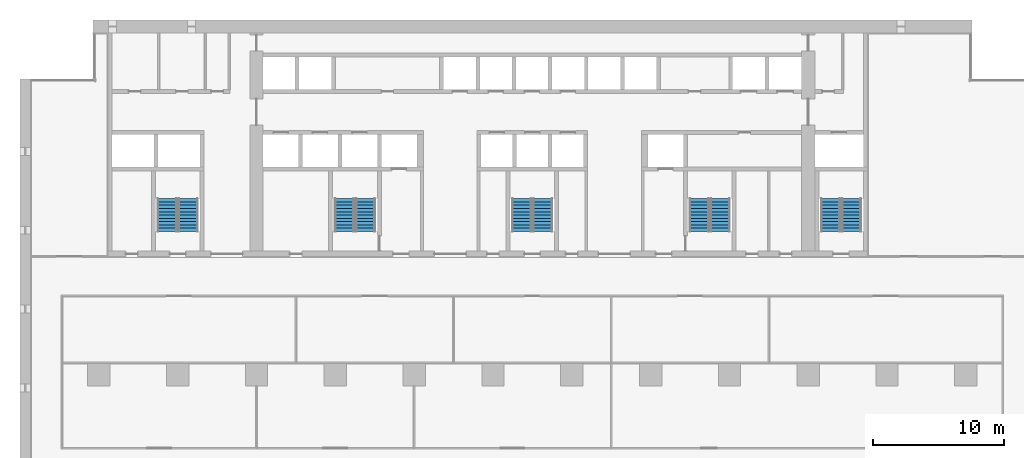
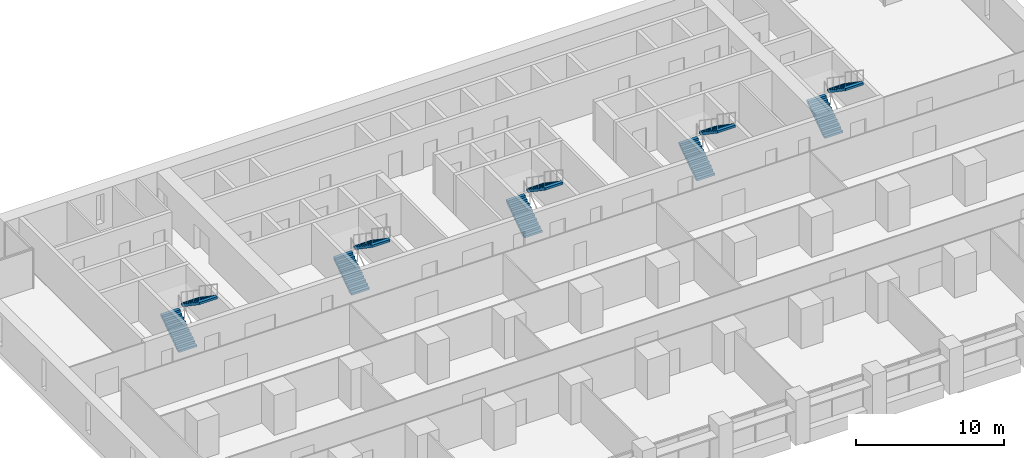
# One storey, part 14 of 18: 10 stair flights, 5 elements without a shape of their own.
"""IFC4 building model written with IfcOpenShell, lengths in metres."""

from ifc_helpers import new_model, si_unit, direction, frame, origin, place, context, subcontext, project, spatial, polyline, outline, extrude, material, type_object, element, aggregate, save


model = new_model("IFC4")

# Units and contexts
model_context = context("Model", 3, precision=1e-05, world=origin(), true_north=direction((0.0, 1.0)))
body_context = subcontext(model_context, "Body", "Model", "MODEL_VIEW")
ifc_project = project(units=[si_unit("LENGTHUNIT", "METRE"), si_unit("AREAUNIT", "SQUARE_METRE"), si_unit("VOLUMEUNIT", "CUBIC_METRE"), si_unit("PLANEANGLEUNIT", "RADIAN"), si_unit("MASSUNIT", "GRAM", prefix="KILO")], contexts=[model_context])

# Site, building, storey
site_placement = place(None, origin())
site = spatial("IfcSite", under=ifc_project, at=site_placement, CompositionType="ELEMENT")
building_placement = place(site_placement, origin())
building = spatial("IfcBuilding", under=site, at=building_placement, Name="Calvaro Tower", CompositionType="ELEMENT")
storey_placement = place(building_placement, frame((0.0, 0.0, 52.5)))
storey = spatial("IfcBuildingStorey", under=building, at=storey_placement, Name="L12", CompositionType="ELEMENT", Elevation=52.5)

# Stair, stair flights
ifc_material_1 = material(Name="Concrete C40/50", Category="concrete")
stair_type = type_object("IfcStairType", Name="Exit stair 1400 2 flights", PredefinedType="HALF_TURN_STAIR", material=ifc_material_1)
stair_1_placement = place(storey_placement, origin())
stair_1 = element("IfcStair", 1, at=stair_1_placement, inside=storey, type_object=stair_type, Name="Exit stair S1", PredefinedType="HALF_TURN_STAIR")
ifc_material_2 = material(Name="Concrete C40/50", Category="concrete")
stair_flight_type = type_object("IfcStairFlightType", Name="Stair flight", PredefinedType="STRAIGHT", material=ifc_material_2)
stair_flight_1_placement = place(storey_placement, frame((11.199951171875, 29.89990234375, 0.0), z_axis=(0.0, 0.0, 1.0), x_axis=(0.0, 1.0, 0.0)))
stair_flight_1 = element("IfcStairFlight", 2, at=stair_flight_1_placement, type_object=stair_flight_type, Name="Exit stair 1, flight 1", NumberOfRisers=11, NumberOfTreads=10, PredefinedType="STRAIGHT", RiserHeight=0.170454545, TreadLength=0.25, context=body_context, shape_type="SweptSolid", body=[
    extrude(outline(polyline([(0.0, 0.0), (0.0, 0.17041015625), (0.25, 0.17041015625), (0.25, 0.3408203125), (0.5, 0.3408203125), (0.5, 0.511474609375), (0.75, 0.511474609375), (0.75, 0.681884765625), (1.0, 0.681884765625), (1.0, 0.852294921875), (1.25, 0.852294921875), (1.25, 1.022705078125), (1.5, 1.022705078125), (1.5, 1.193115234375), (1.75, 1.193115234375), (1.75, 1.363525390625), (2.0, 1.363525390625), (2.0, 1.5341796875), (2.25, 1.5341796875), (2.25, 1.70458984375), (2.5, 1.70458984375), (2.5, 1.875), (2.5, 1.523193359375), (0.26611328125, 0.0), (0.0, 0.0)])), frame((0.0, 0.699951171875, 0.0), z_axis=(0.0, -1.0, 0.0), x_axis=(1.0, 0.0, 0.0)), (0.0, 0.0, 1.0), 1.39990234375),
])
stair_flight_2_placement = place(storey_placement, frame((12.800048828125, 32.39990234375, 1.875), z_axis=(0.0, 0.0, 1.0), x_axis=(0.0, -1.0, 0.0)))
stair_flight_2 = element("IfcStairFlight", 3, at=stair_flight_2_placement, type_object=stair_flight_type, Name="Exit stair 1, flight 2", NumberOfRisers=11, NumberOfTreads=10, PredefinedType="STRAIGHT", RiserHeight=0.170454545, TreadLength=0.25, context=body_context, shape_type="SweptSolid", body=[
    extrude(outline(polyline([(0.0, 0.0), (0.0, 0.17041015625), (0.25, 0.17041015625), (0.25, 0.3408203125), (0.5, 0.3408203125), (0.5, 0.511474609375), (0.75, 0.511474609375), (0.75, 0.681884765625), (1.0, 0.681884765625), (1.0, 0.852294921875), (1.25, 0.852294921875), (1.25, 1.022705078125), (1.5, 1.022705078125), (1.5, 1.193115234375), (1.75, 1.193115234375), (1.75, 1.363525390625), (2.0, 1.363525390625), (2.0, 1.5341796875), (2.25, 1.5341796875), (2.25, 1.70458984375), (2.5, 1.70458984375), (2.5, 1.875), (2.5, 1.523193359375), (0.26611328125, 0.0), (0.0, 0.0)])), frame((0.0, 0.699951171875, 0.0), z_axis=(0.0, -1.0, 0.0), x_axis=(1.0, 0.0, 0.0)), (0.0, 0.0, 1.0), 1.39990234375),
])
aggregate(stair_1, [stair_flight_1, stair_flight_2])

stair_2_placement = place(storey_placement, origin())
stair_2 = element("IfcStair", 4, at=stair_2_placement, inside=storey, type_object=stair_type, Name="Exit stair S2", PredefinedType="HALF_TURN_STAIR")
stair_flight_3_placement = place(storey_placement, frame((24.699951171875, 29.89990234375, 0.0), z_axis=(0.0, 0.0, 1.0), x_axis=(0.0, 1.0, 0.0)))
stair_flight_3 = element("IfcStairFlight", 5, at=stair_flight_3_placement, type_object=stair_flight_type, Name="Exit stair 2, flight 1", NumberOfRisers=11, NumberOfTreads=10, PredefinedType="STRAIGHT", RiserHeight=0.170454545, TreadLength=0.25, context=body_context, shape_type="SweptSolid", body=[
    extrude(outline(polyline([(0.0, 0.0), (0.0, 0.17041015625), (0.25, 0.17041015625), (0.25, 0.3408203125), (0.5, 0.3408203125), (0.5, 0.511474609375), (0.75, 0.511474609375), (0.75, 0.681884765625), (1.0, 0.681884765625), (1.0, 0.852294921875), (1.25, 0.852294921875), (1.25, 1.022705078125), (1.5, 1.022705078125), (1.5, 1.193115234375), (1.75, 1.193115234375), (1.75, 1.363525390625), (2.0, 1.363525390625), (2.0, 1.5341796875), (2.25, 1.5341796875), (2.25, 1.70458984375), (2.5, 1.70458984375), (2.5, 1.875), (2.5, 1.523193359375), (0.26611328125, 0.0), (0.0, 0.0)])), frame((0.0, 0.699951171875, 0.0), z_axis=(0.0, -1.0, 0.0), x_axis=(1.0, 0.0, 0.0)), (0.0, 0.0, 1.0), 1.39990234375),
])
stair_flight_4_placement = place(storey_placement, frame((26.300048828125, 32.39990234375, 1.875), z_axis=(0.0, 0.0, 1.0), x_axis=(0.0, -1.0, 0.0)))
stair_flight_4 = element("IfcStairFlight", 6, at=stair_flight_4_placement, type_object=stair_flight_type, Name="Exit stair 2, flight 2", NumberOfRisers=11, NumberOfTreads=10, PredefinedType="STRAIGHT", RiserHeight=0.170454545, TreadLength=0.25, context=body_context, shape_type="SweptSolid", body=[
    extrude(outline(polyline([(0.0, 0.0), (0.0, 0.17041015625), (0.25, 0.17041015625), (0.25, 0.3408203125), (0.5, 0.3408203125), (0.5, 0.511474609375), (0.75, 0.511474609375), (0.75, 0.681884765625), (1.0, 0.681884765625), (1.0, 0.852294921875), (1.25, 0.852294921875), (1.25, 1.022705078125), (1.5, 1.022705078125), (1.5, 1.193115234375), (1.75, 1.193115234375), (1.75, 1.363525390625), (2.0, 1.363525390625), (2.0, 1.5341796875), (2.25, 1.5341796875), (2.25, 1.70458984375), (2.5, 1.70458984375), (2.5, 1.875), (2.5, 1.523193359375), (0.26611328125, 0.0), (0.0, 0.0)])), frame((0.0, 0.699951171875, 0.0), z_axis=(0.0, -1.0, 0.0), x_axis=(1.0, 0.0, 0.0)), (0.0, 0.0, 1.0), 1.39990234375),
])
aggregate(stair_2, [stair_flight_3, stair_flight_4])

stair_3_placement = place(storey_placement, origin())
stair_3 = element("IfcStair", 7, at=stair_3_placement, inside=storey, type_object=stair_type, Name="Exit stair S3", PredefinedType="HALF_TURN_STAIR")
stair_flight_5_placement = place(storey_placement, frame((38.199951171875, 29.89990234375, 0.0), z_axis=(0.0, 0.0, 1.0), x_axis=(0.0, 1.0, 0.0)))
stair_flight_5 = element("IfcStairFlight", 8, at=stair_flight_5_placement, type_object=stair_flight_type, Name="Exit stair 3, flight 1", NumberOfRisers=11, NumberOfTreads=10, PredefinedType="STRAIGHT", RiserHeight=0.170454545, TreadLength=0.25, context=body_context, shape_type="SweptSolid", body=[
    extrude(outline(polyline([(0.0, 0.0), (0.0, 0.17041015625), (0.25, 0.17041015625), (0.25, 0.3408203125), (0.5, 0.3408203125), (0.5, 0.511474609375), (0.75, 0.511474609375), (0.75, 0.681884765625), (1.0, 0.681884765625), (1.0, 0.852294921875), (1.25, 0.852294921875), (1.25, 1.022705078125), (1.5, 1.022705078125), (1.5, 1.193115234375), (1.75, 1.193115234375), (1.75, 1.363525390625), (2.0, 1.363525390625), (2.0, 1.5341796875), (2.25, 1.5341796875), (2.25, 1.70458984375), (2.5, 1.70458984375), (2.5, 1.875), (2.5, 1.523193359375), (0.26611328125, 0.0), (0.0, 0.0)])), frame((0.0, 0.699951171875, 0.0), z_axis=(0.0, -1.0, 0.0), x_axis=(1.0, 0.0, 0.0)), (0.0, 0.0, 1.0), 1.39990234375),
])
stair_flight_6_placement = place(storey_placement, frame((39.800048828125, 32.39990234375, 1.875), z_axis=(0.0, 0.0, 1.0), x_axis=(0.0, -1.0, 0.0)))
stair_flight_6 = element("IfcStairFlight", 9, at=stair_flight_6_placement, type_object=stair_flight_type, Name="Exit stair 3, flight 2", NumberOfRisers=11, NumberOfTreads=10, PredefinedType="STRAIGHT", RiserHeight=0.170454545, TreadLength=0.25, context=body_context, shape_type="SweptSolid", body=[
    extrude(outline(polyline([(0.0, 0.0), (0.0, 0.17041015625), (0.25, 0.17041015625), (0.25, 0.3408203125), (0.5, 0.3408203125), (0.5, 0.511474609375), (0.75, 0.511474609375), (0.75, 0.681884765625), (1.0, 0.681884765625), (1.0, 0.852294921875), (1.25, 0.852294921875), (1.25, 1.022705078125), (1.5, 1.022705078125), (1.5, 1.193115234375), (1.75, 1.193115234375), (1.75, 1.363525390625), (2.0, 1.363525390625), (2.0, 1.5341796875), (2.25, 1.5341796875), (2.25, 1.70458984375), (2.5, 1.70458984375), (2.5, 1.875), (2.5, 1.523193359375), (0.26611328125, 0.0), (0.0, 0.0)])), frame((0.0, 0.699951171875, 0.0), z_axis=(0.0, -1.0, 0.0), x_axis=(1.0, 0.0, 0.0)), (0.0, 0.0, 1.0), 1.39990234375),
])
aggregate(stair_3, [stair_flight_5, stair_flight_6])

stair_4_placement = place(storey_placement, origin())
stair_4 = element("IfcStair", 10, at=stair_4_placement, inside=storey, type_object=stair_type, Name="Exit stair S4", PredefinedType="HALF_TURN_STAIR")
stair_flight_7_placement = place(storey_placement, frame((51.699951171875, 29.89990234375, 0.0), z_axis=(0.0, 0.0, 1.0), x_axis=(0.0, 1.0, 0.0)))
stair_flight_7 = element("IfcStairFlight", 11, at=stair_flight_7_placement, type_object=stair_flight_type, Name="Exit stair 4, flight 1", NumberOfRisers=11, NumberOfTreads=10, PredefinedType="STRAIGHT", RiserHeight=0.170454545, TreadLength=0.25, context=body_context, shape_type="SweptSolid", body=[
    extrude(outline(polyline([(0.0, 0.0), (0.0, 0.17041015625), (0.25, 0.17041015625), (0.25, 0.3408203125), (0.5, 0.3408203125), (0.5, 0.511474609375), (0.75, 0.511474609375), (0.75, 0.681884765625), (1.0, 0.681884765625), (1.0, 0.852294921875), (1.25, 0.852294921875), (1.25, 1.022705078125), (1.5, 1.022705078125), (1.5, 1.193115234375), (1.75, 1.193115234375), (1.75, 1.363525390625), (2.0, 1.363525390625), (2.0, 1.5341796875), (2.25, 1.5341796875), (2.25, 1.70458984375), (2.5, 1.70458984375), (2.5, 1.875), (2.5, 1.523193359375), (0.26611328125, 0.0), (0.0, 0.0)])), frame((0.0, 0.699951171875, 0.0), z_axis=(0.0, -1.0, 0.0), x_axis=(1.0, 0.0, 0.0)), (0.0, 0.0, 1.0), 1.39990234375),
])
stair_flight_8_placement = place(storey_placement, frame((53.300048828125, 32.39990234375, 1.875), z_axis=(0.0, 0.0, 1.0), x_axis=(0.0, -1.0, 0.0)))
stair_flight_8 = element("IfcStairFlight", 12, at=stair_flight_8_placement, type_object=stair_flight_type, Name="Exit stair 4, flight 2", NumberOfRisers=11, NumberOfTreads=10, PredefinedType="STRAIGHT", RiserHeight=0.170454545, TreadLength=0.25, context=body_context, shape_type="SweptSolid", body=[
    extrude(outline(polyline([(0.0, 0.0), (0.0, 0.17041015625), (0.25, 0.17041015625), (0.25, 0.3408203125), (0.5, 0.3408203125), (0.5, 0.511474609375), (0.75, 0.511474609375), (0.75, 0.681884765625), (1.0, 0.681884765625), (1.0, 0.852294921875), (1.25, 0.852294921875), (1.25, 1.022705078125), (1.5, 1.022705078125), (1.5, 1.193115234375), (1.75, 1.193115234375), (1.75, 1.363525390625), (2.0, 1.363525390625), (2.0, 1.5341796875), (2.25, 1.5341796875), (2.25, 1.70458984375), (2.5, 1.70458984375), (2.5, 1.875), (2.5, 1.523193359375), (0.26611328125, 0.0), (0.0, 0.0)])), frame((0.0, 0.699951171875, 0.0), z_axis=(0.0, -1.0, 0.0), x_axis=(1.0, 0.0, 0.0)), (0.0, 0.0, 1.0), 1.39990234375),
])
aggregate(stair_4, [stair_flight_7, stair_flight_8])

stair_5_placement = place(storey_placement, origin())
stair_5 = element("IfcStair", 13, at=stair_5_placement, inside=storey, type_object=stair_type, Name="Exit stair S5", PredefinedType="HALF_TURN_STAIR")
stair_flight_9_placement = place(storey_placement, frame((61.699951171875, 29.89990234375, 0.0), z_axis=(0.0, 0.0, 1.0), x_axis=(0.0, 1.0, 0.0)))
stair_flight_9 = element("IfcStairFlight", 14, at=stair_flight_9_placement, type_object=stair_flight_type, Name="Exit stair 5, flight 1", NumberOfRisers=11, NumberOfTreads=10, PredefinedType="STRAIGHT", RiserHeight=0.170454545, TreadLength=0.25, context=body_context, shape_type="SweptSolid", body=[
    extrude(outline(polyline([(0.0, 0.0), (0.0, 0.17041015625), (0.25, 0.17041015625), (0.25, 0.3408203125), (0.5, 0.3408203125), (0.5, 0.511474609375), (0.75, 0.511474609375), (0.75, 0.681884765625), (1.0, 0.681884765625), (1.0, 0.852294921875), (1.25, 0.852294921875), (1.25, 1.022705078125), (1.5, 1.022705078125), (1.5, 1.193115234375), (1.75, 1.193115234375), (1.75, 1.363525390625), (2.0, 1.363525390625), (2.0, 1.5341796875), (2.25, 1.5341796875), (2.25, 1.70458984375), (2.5, 1.70458984375), (2.5, 1.875), (2.5, 1.523193359375), (0.26611328125, 0.0), (0.0, 0.0)])), frame((0.0, 0.699951171875, 0.0), z_axis=(0.0, -1.0, 0.0), x_axis=(1.0, 0.0, 0.0)), (0.0, 0.0, 1.0), 1.39990234375),
])
stair_flight_10_placement = place(storey_placement, frame((63.300048828125, 32.39990234375, 1.875), z_axis=(0.0, 0.0, 1.0), x_axis=(0.0, -1.0, 0.0)))
stair_flight_10 = element("IfcStairFlight", 15, at=stair_flight_10_placement, type_object=stair_flight_type, Name="Exit stair 5, flight 2", NumberOfRisers=11, NumberOfTreads=10, PredefinedType="STRAIGHT", RiserHeight=0.170454545, TreadLength=0.25, context=body_context, shape_type="SweptSolid", body=[
    extrude(outline(polyline([(0.0, 0.0), (0.0, 0.17041015625), (0.25, 0.17041015625), (0.25, 0.3408203125), (0.5, 0.3408203125), (0.5, 0.511474609375), (0.75, 0.511474609375), (0.75, 0.681884765625), (1.0, 0.681884765625), (1.0, 0.852294921875), (1.25, 0.852294921875), (1.25, 1.022705078125), (1.5, 1.022705078125), (1.5, 1.193115234375), (1.75, 1.193115234375), (1.75, 1.363525390625), (2.0, 1.363525390625), (2.0, 1.5341796875), (2.25, 1.5341796875), (2.25, 1.70458984375), (2.5, 1.70458984375), (2.5, 1.875), (2.5, 1.523193359375), (0.26611328125, 0.0), (0.0, 0.0)])), frame((0.0, 0.699951171875, 0.0), z_axis=(0.0, -1.0, 0.0), x_axis=(1.0, 0.0, 0.0)), (0.0, 0.0, 1.0), 1.39990234375),
])
aggregate(stair_5, [stair_flight_9, stair_flight_10])

save(model, "model.ifc")
